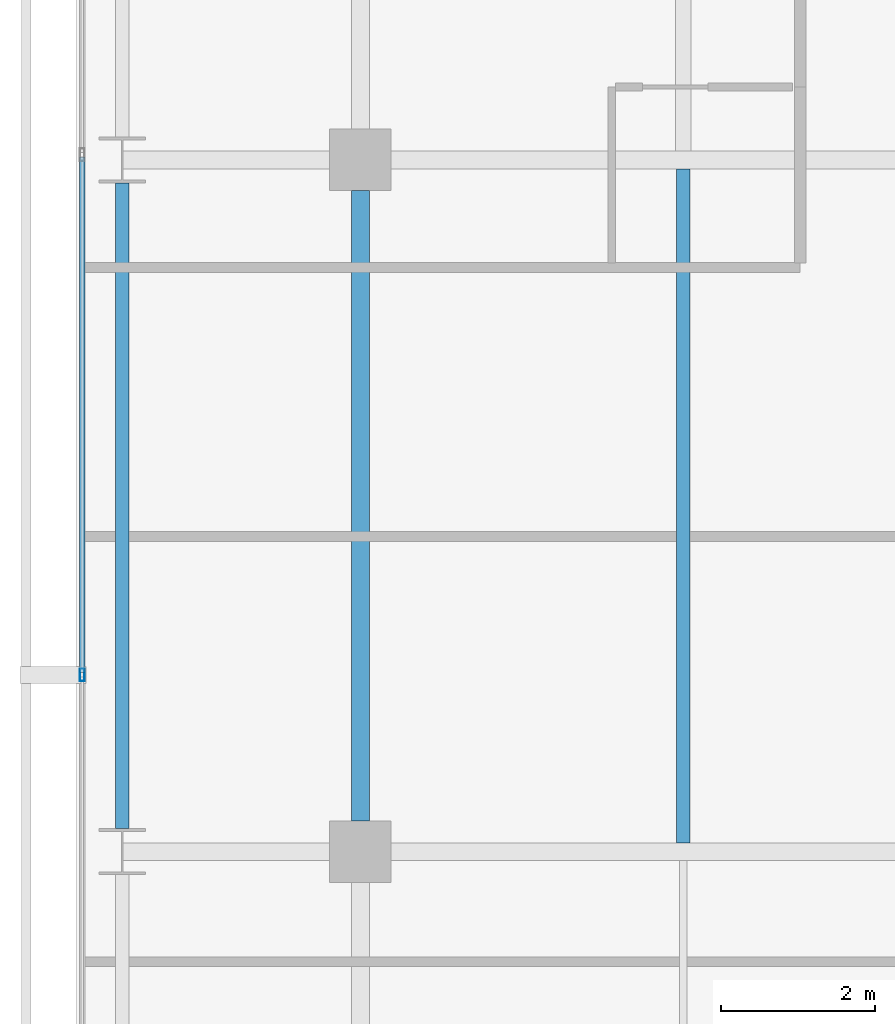
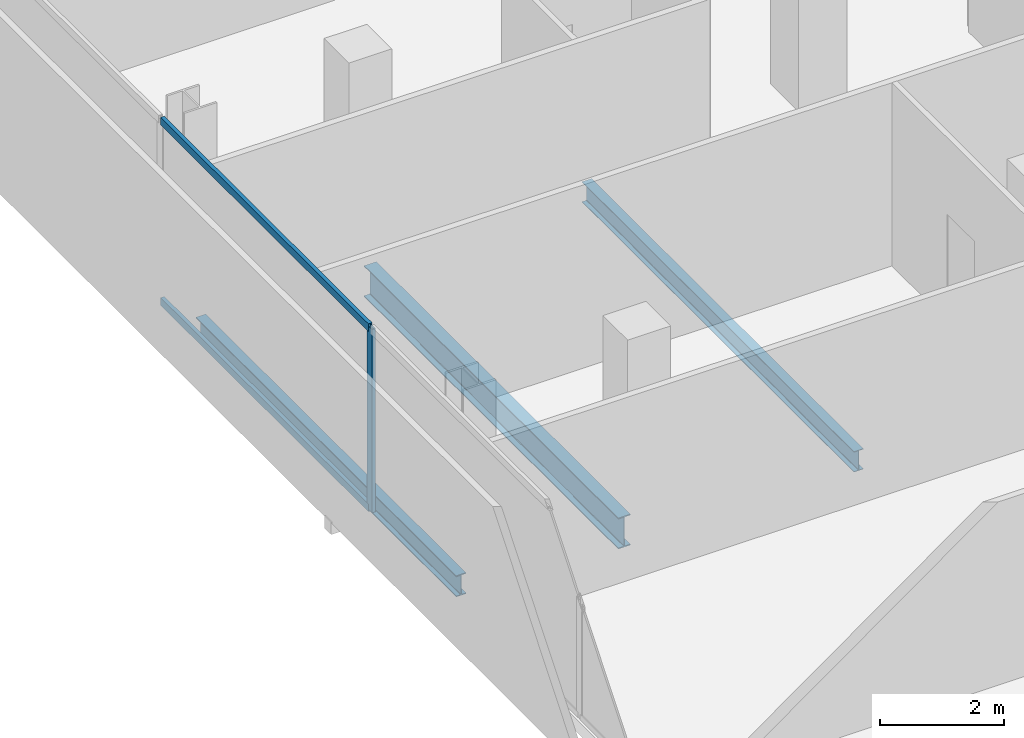
# One storey, part 10 of 33: 3 beams, 3 members, 1 element without a shape of its own.
"""IFC4 building model written with IfcOpenShell, lengths in metres."""

from ifc_helpers import new_model, si_unit, direction, frame, origin, origin_2d, place, context, subcontext, project, spatial, hollow_rectangle, i_section, extrude, material, layer, layer_set, material_profile, profile_set, type_object, element, aggregate, save


model = new_model("IFC4")

# Units and contexts
model_context = context("Model", 3, precision=1e-05, world=origin(), true_north=direction((0.0, 1.0)))
body_context = subcontext(model_context, "Body", "Model", "MODEL_VIEW")
ifc_project = project(units=[si_unit("LENGTHUNIT", "METRE"), si_unit("AREAUNIT", "SQUARE_METRE"), si_unit("VOLUMEUNIT", "CUBIC_METRE"), si_unit("PLANEANGLEUNIT", "RADIAN"), si_unit("MASSUNIT", "GRAM", prefix="KILO")], contexts=[model_context])

# Site, building, storey
site_placement = place(None, origin())
site = spatial("IfcSite", under=ifc_project, at=site_placement, CompositionType="ELEMENT")
building_placement = place(site_placement, origin())
building = spatial("IfcBuilding", under=site, at=building_placement, Name="Maruvema Waterfront Hotel and Observation Tower", CompositionType="ELEMENT")
storey_placement = place(building_placement, frame((0.0, 0.0, 154.35009765625)))
storey = spatial("IfcBuildingStorey", under=building, at=storey_placement, Name="L37", CompositionType="ELEMENT", Elevation=154.35009765625)

# Curtain wall, members
ifc_material_1 = material(Name="Anodised bronze aluminium and solar-control low-E IGU", Category="aluminium")
ifc_layer = layer(ifc_material_1, 0.159912109375, Name="Zone 2 Amber Inner Thermal Curtain Wall System CW-03")
ifc_layer_set = layer_set([ifc_layer], Name="Anodised bronze aluminium and solar-control low-E IGU")
curtain_wall_type = type_object("IfcCurtainWallType", Name="Zone 2 Amber Inner Thermal Curtain Wall System CW-03", PredefinedType="USERDEFINED", material=ifc_layer_set)
curtain_wall_placement = place(storey_placement, origin())
curtain_wall = element("IfcCurtainWall", 1, at=curtain_wall_placement, inside=storey, type_object=curtain_wall_type, Name="L37 Curtain Wall CW-L37-W", ObjectType="UNITISED CURTAIN WALL", PredefinedType="USERDEFINED")
ifc_material_2 = material(Name="Anodised architectural bronze aluminium", Category="aluminium")
ifc_material_profile_1 = material_profile(ifc_material_2, hollow_rectangle(XDim=0.070068359375, YDim=0.14990234375, WallThickness=0.00390625, at=origin_2d()), Name="ALU-T70x150")
ifc_profile_set_1 = profile_set([ifc_material_profile_1], Name="Anodised architectural bronze aluminium")
member_type_1 = type_object("IfcMemberType", Name="Curtain Wall Horizontal Transom ALU-T70x150", PredefinedType="USERDEFINED", material=ifc_profile_set_1)
member_1_placement = place(storey_placement, frame((13.179931640625, 36.03662109375, 0.02978515625), z_axis=(0.0, -1.0, 0.0), x_axis=(1.0, 0.0, 0.0)))
member_1 = element("IfcMember", 2, at=member_1_placement, type_object=member_type_1, Name="CW-03 transom 3.1", ObjectType="TRANSOM", PredefinedType="USERDEFINED", context=body_context, shape_type="SweptSolid", body=[
    extrude(hollow_rectangle(XDim=0.070068359375, YDim=0.14990234375, WallThickness=0.00390625, at=origin_2d()), origin(), (0.0, 0.0, 1.0), 6.70654296875),
])
member_2_placement = place(storey_placement, frame((13.179931640625, 36.03662109375, 3.579833984375), z_axis=(0.0, -1.0, 0.0), x_axis=(1.0, 0.0, 0.0)))
member_2 = element("IfcMember", 3, at=member_2_placement, type_object=member_type_1, Name="CW-03 transom 3.2", ObjectType="TRANSOM", PredefinedType="USERDEFINED", context=body_context, shape_type="SweptSolid", body=[
    extrude(hollow_rectangle(XDim=0.070068359375, YDim=0.14990234375, WallThickness=0.00390625, at=origin_2d()), origin(), (0.0, 0.0, 1.0), 6.70654296875),
])
ifc_material_3 = material(Name="Anodised architectural bronze aluminium", Category="aluminium")
ifc_material_profile_2 = material_profile(ifc_material_3, hollow_rectangle(XDim=0.06494140625, YDim=0.1650390625, WallThickness=0.00390625, at=origin_2d()), Name="ALU-M65x165")
ifc_profile_set_2 = profile_set([ifc_material_profile_2], Name="Anodised architectural bronze aluminium")
member_type_2 = type_object("IfcMemberType", Name="Curtain Wall Primary Mullion ALU-M65x165", PredefinedType="MULLION", material=ifc_profile_set_2)
member_3_placement = place(storey_placement, frame((13.179931640625, 29.300048828125, 0.0), z_axis=(0.0, 0.0, 1.0), x_axis=(1.0, 0.0, 0.0)))
member_3 = element("IfcMember", 4, at=member_3_placement, type_object=member_type_2, Name="CW-03 mullion 4", PredefinedType="MULLION", context=body_context, shape_type="SweptSolid", body=[
    extrude(hollow_rectangle(XDim=0.06494140625, YDim=0.1650390625, WallThickness=0.00390625, at=origin_2d()), origin(), (0.0, 0.0, 1.0), 3.60986328125),
])
aggregate(curtain_wall, [member_3, member_1, member_2])

# Beams
ifc_material_4 = material(Name="Steel ASTM A572 Grade 50", Category="steel")
ifc_material_profile_3 = material_profile(ifc_material_4, i_section(OverallWidth=0.180908203125, OverallDepth=0.4169921875, WebThickness=0.010986328125, FlangeThickness=0.018310546875, FilletRadius=0.014892578125, at=origin_2d()), Name="W410x85.0")
ifc_profile_set_3 = profile_set([ifc_material_profile_3], Name="Steel ASTM A572 Grade 50")
beam_type_1 = type_object("IfcBeamType", Name="Perimeter Spandrel Beam W410x85.0", PredefinedType="SPANDREL", material=ifc_profile_set_3)
beam_1_placement = place(storey_placement, frame((13.699951171875, 27.300048828125, -0.448486328125), z_axis=(0.0, 1.0, 0.0), x_axis=(-1.0, 0.0, 0.0)))
element("IfcBeam", 5, at=beam_1_placement, inside=storey, type_object=beam_type_1, Name="L37 Floor Girder NS-03", PredefinedType="SPANDREL", context=body_context, shape_type="SweptSolid", body=[
    extrude(i_section(OverallWidth=0.180908203125, OverallDepth=0.4169921875, WebThickness=0.010986328125, FlangeThickness=0.018310546875, FilletRadius=0.014892578125, at=origin_2d()), origin(), (0.0, 0.0, 1.0), 8.39990234375),
])
ifc_material_5 = material(Name="Steel ASTM A572 Grade 50", Category="steel")
ifc_material_profile_4 = material_profile(ifc_material_5, i_section(OverallWidth=0.22900390625, OverallDepth=0.612060546875, WebThickness=0.011962890625, FlangeThickness=0.01953125, FilletRadius=0.01806640625, at=origin_2d()), Name="W610x125.0")
ifc_profile_set_4 = profile_set([ifc_material_profile_4], Name="Steel ASTM A572 Grade 50")
beam_type_2 = type_object("IfcBeamType", Name="Primary Floor Girder W610x125.0", PredefinedType="BEAM", material=ifc_profile_set_4)
beam_2_placement = place(storey_placement, frame((16.800048828125, 27.39990234375, -0.546142578125), z_axis=(0.0, 1.0, 0.0), x_axis=(-1.0, 0.0, 0.0)))
element("IfcBeam", 6, at=beam_2_placement, inside=storey, type_object=beam_type_2, Name="L37 Floor Girder NS-07", PredefinedType="BEAM", context=body_context, shape_type="SweptSolid", body=[
    extrude(i_section(OverallWidth=0.22900390625, OverallDepth=0.612060546875, WebThickness=0.011962890625, FlangeThickness=0.01953125, FilletRadius=0.01806640625, at=origin_2d()), origin(), (0.0, 0.0, 1.0), 8.2001953125),
])
ifc_material_6 = material(Name="Steel ASTM A572 Grade 50", Category="steel")
ifc_material_profile_5 = material_profile(ifc_material_6, i_section(OverallWidth=0.177001953125, OverallDepth=0.403076171875, WebThickness=0.007568359375, FlangeThickness=0.010986328125, FilletRadius=0.014892578125, at=origin_2d()), Name="W410x53.0")
ifc_profile_set_5 = profile_set([ifc_material_profile_5], Name="Steel ASTM A572 Grade 50")
beam_type_3 = type_object("IfcBeamType", Name="Secondary Floor Joist W410x53.0", PredefinedType="JOIST", material=ifc_profile_set_5)
beam_3_placement = place(storey_placement, frame((21.0, 27.114501953125, -0.441650390625), z_axis=(0.0, 1.0, 0.0), x_axis=(-1.0, 0.0, 0.0)))
element("IfcBeam", 7, at=beam_3_placement, inside=storey, type_object=beam_type_3, Name="L37 Secondary Floor Joist JS-03", PredefinedType="JOIST", context=body_context, shape_type="SweptSolid", body=[
    extrude(i_section(OverallWidth=0.177001953125, OverallDepth=0.403076171875, WebThickness=0.007568359375, FlangeThickness=0.010986328125, FilletRadius=0.014892578125, at=origin_2d()), origin(), (0.0, 0.0, 1.0), 8.77099609375),
])

save(model, "model.ifc")
